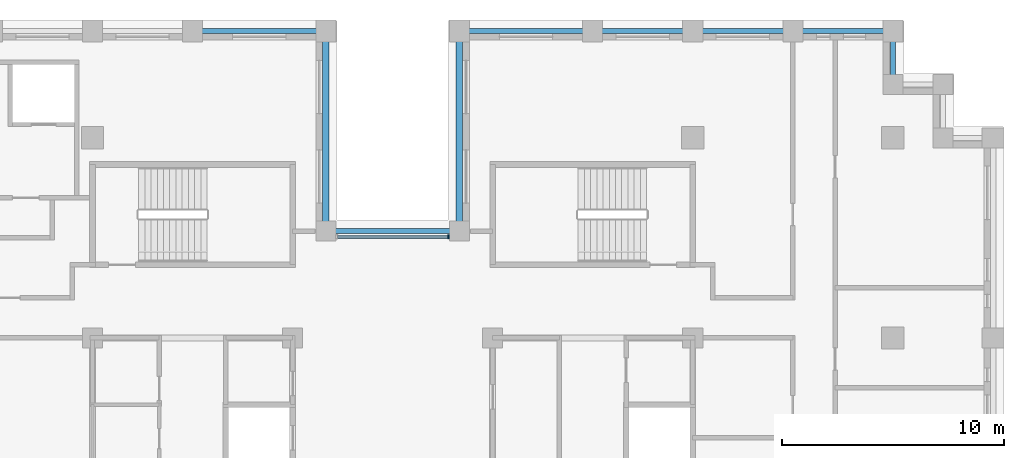
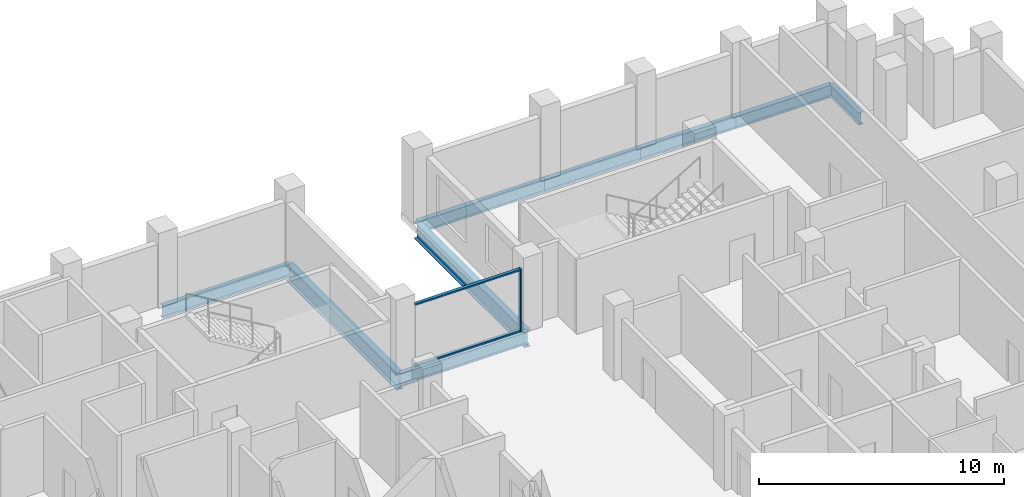
# One storey, part 4 of 15: 9 beams, 3 members, 1 element without a shape of its own.
"""IFC4 building model written with IfcOpenShell, lengths in metres."""

import ifcopenshell
import ifcopenshell.guid

model = None  # the IFC model being written
_history = None  # IfcOwnerHistory: only IFC2X3 demands one
_inside = {}  # id of a spatial element -> (the spatial element, [elements in it])
_under = {}  # id of a project, library or spatial element -> (it, [spatial elements below it])
_declared = {}  # id of a project -> (the project, [libraries it declares])
_typed = {}  # id of a type object -> (the type object, [elements of that type])
_made_of = {}  # id of a material, layer set ... -> (it, [elements and type objects made of it])


def new_model(schema):
    """Start an empty IFC model of exactly this schema.

    Asked for "IFC4X3", IfcOpenShell would pick the latest addendum, in which some entities
    have other attributes; the version numbers below select the first issue.
    IFC2X3 requires an IfcOwnerHistory on every rooted entity: one is made here for all.
    """
    global model, _history
    if schema == "IFC4X3":
        model = ifcopenshell.file(schema_version=(4, 3, 0, 0))
    else:
        model = ifcopenshell.file(schema=schema)
    _inside.clear()
    _under.clear()
    _declared.clear()
    _typed.clear()
    _made_of.clear()
    _history = None
    if model.schema == "IFC2X3":
        org = make("IfcOrganization", Name="unknown")
        user = make(
            "IfcPersonAndOrganization",
            ThePerson=make("IfcPerson", FamilyName="unknown"),
            TheOrganization=org,
        )
        app = make(
            "IfcApplication",
            ApplicationDeveloper=org,
            Version="unknown",
            ApplicationFullName="unknown",
            ApplicationIdentifier="unknown",
        )
        _history = make(
            "IfcOwnerHistory",
            OwningUser=user,
            OwningApplication=app,
            ChangeAction="ADDED",
            CreationDate=0,
        )
    return model


def make(cls, **values):
    """One entity of the class cls with the attributes given. An attribute that is None is left unset."""
    return model.create_entity(
        cls, **{name: value for name, value in values.items() if value is not None}
    )


def rooted(cls, **values):
    """An entity with a GlobalId (a new one), such as an element, a storey or a relation."""
    return make(cls, GlobalId=ifcopenshell.guid.new(), OwnerHistory=_history, **values)


def si_unit(unit_type, name, prefix=None):
    """IfcSIUnit, for example si_unit("LENGTHUNIT", "METRE", prefix="MILLI")."""
    return make("IfcSIUnit", UnitType=unit_type, Prefix=prefix, Name=name)


def assignment(units):
    """IfcUnitAssignment: the units of a project."""
    return None if units is None else make("IfcUnitAssignment", Units=units)


def point(xyz):
    """IfcCartesianPoint."""
    return None if xyz is None else make("IfcCartesianPoint", Coordinates=xyz)


def direction(xyz):
    """IfcDirection."""
    return None if xyz is None else make("IfcDirection", DirectionRatios=xyz)


def frame(location, z_axis=None, x_axis=None):
    """IfcAxis2Placement3D, a coordinate frame: its origin and axes. An axis left out is left unset."""
    return make(
        "IfcAxis2Placement3D",
        Location=point(location),
        Axis=direction(z_axis),
        RefDirection=direction(x_axis),
    )


def frame_2d(location, x_axis=None):
    """IfcAxis2Placement2D, a coordinate frame in the plane: its origin and x axis."""
    return make(
        "IfcAxis2Placement2D", Location=point(location), RefDirection=direction(x_axis)
    )


def origin():
    """The frame at (0, 0, 0) with its axes left unset."""
    return frame((0.0, 0.0, 0.0))


def origin_2d():
    """The frame at (0, 0) in the plane with its x axis left unset."""
    return frame_2d((0.0, 0.0))


def place(relative_to, where):
    """IfcLocalPlacement: puts the frame where relative to a parent placement (None: the world)."""
    return make(
        "IfcLocalPlacement", PlacementRelTo=relative_to, RelativePlacement=where
    )


def context(
    kind, dimensions, precision=None, world=None, true_north=None, identifier=None
):
    """IfcGeometricRepresentationContext, for example the 3D "Model" context."""
    return make(
        "IfcGeometricRepresentationContext",
        ContextIdentifier=identifier,
        ContextType=kind,
        CoordinateSpaceDimension=dimensions,
        Precision=precision,
        WorldCoordinateSystem=world,
        TrueNorth=true_north,
    )


def subcontext(parent, identifier, kind, view, scale=None):
    """IfcGeometricRepresentationSubContext, for example "Body" below "Model"."""
    return make(
        "IfcGeometricRepresentationSubContext",
        ContextIdentifier=identifier,
        ContextType=kind,
        ParentContext=parent,
        TargetScale=scale,
        TargetView=view,
    )


def project(units=None, contexts=None):
    """IfcProject with its units and contexts."""
    return rooted(
        "IfcProject",
        Name="project",
        RepresentationContexts=contexts,
        UnitsInContext=assignment(units),
    )


def spatial(cls, under=None, at=None, **own):
    """A site, building, storey or space (cls), placed at a placement, below another one or the project."""
    s = rooted(cls, ObjectPlacement=at, **own)
    if under is not None:
        _under.setdefault(under.id(), (under, []))[1].append(s)
    return s


def profile(cls, at=None, kind="AREA", **sizes):
    """A parametric profile (cls). Its sizes go by their IFC names, for example OverallWidth=200.0."""
    return make(cls, ProfileType=kind, Position=at, **sizes)


def rectangle(**sizes):
    """IfcRectangleProfileDef."""
    return profile("IfcRectangleProfileDef", **sizes)


def i_section(**sizes):
    """IfcIShapeProfileDef."""
    return profile("IfcIShapeProfileDef", **sizes)


def extrude(swept, where, along, depth):
    """IfcExtrudedAreaSolid: the profile swept, set in the frame where, extruded along a direction by depth."""
    return make(
        "IfcExtrudedAreaSolid",
        SweptArea=swept,
        Position=where,
        ExtrudedDirection=direction(along),
        Depth=depth,
    )


def shape(context_of_items, identifier, shape_type, items):
    """IfcShapeRepresentation: the items that make up one representation, for example the "Body"."""
    return make(
        "IfcShapeRepresentation",
        ContextOfItems=context_of_items,
        RepresentationIdentifier=identifier,
        RepresentationType=shape_type,
        Items=items,
    )


def material(Name=None, Category=None):
    """IfcMaterial."""
    return make("IfcMaterial", Name=Name, Category=Category)


def layer(
    of_material, thickness, ventilated=None, Name=None, Category=None, Priority=None
):
    """IfcMaterialLayer: one layer of a wall or slab, of a material (None: an air gap)."""
    return make(
        "IfcMaterialLayer",
        Material=of_material,
        LayerThickness=thickness,
        IsVentilated=ventilated,
        Name=Name,
        Category=Category,
        Priority=Priority,
    )


def layer_set(layers, Name=None):
    """IfcMaterialLayerSet."""
    return make("IfcMaterialLayerSet", MaterialLayers=layers, LayerSetName=Name)


def material_profile(
    of_material, cross_section, Name=None, Category=None, Priority=None
):
    """IfcMaterialProfile: a cross section and its material."""
    return make(
        "IfcMaterialProfile",
        Name=Name,
        Material=of_material,
        Profile=cross_section,
        Priority=Priority,
        Category=Category,
    )


def profile_set(profiles, Name=None, composite=None):
    """IfcMaterialProfileSet."""
    return make(
        "IfcMaterialProfileSet",
        Name=Name,
        MaterialProfiles=profiles,
        CompositeProfile=composite,
    )


def made_of(thing, what):
    """Note that an element or type object is made of a material, layer set ...; save() writes the relation."""
    if what is not None:
        _made_of.setdefault(what.id(), (what, []))[1].append(thing)
    return thing


def type_object(cls, material=None, **own):
    """A type object (cls), such as IfcWallType, which elements share."""
    return made_of(rooted(cls, **own), material)


def element(
    cls,
    number,
    at=None,
    inside=None,
    cuts=None,
    type_object=None,
    material=None,
    context=None,
    identifier="Body",
    shape_type=None,
    held_by="IfcProductDefinitionShape",
    body=None,
    shapes=None,
    **own,
):
    """One element of the class cls, such as IfcWall. Its Tag is "e" and its number.

    at: its placement. inside: the storey or other place that contains it. cuts: it is an
    opening in that element (IfcRelVoidsElement). A single representation is given by context,
    identifier, shape_type and body (its items); several are given by shapes. held_by: the class
    of the entity that holds the representations. save() writes the other relations.
    """
    e = rooted(cls, Tag="e%d" % number, ObjectPlacement=at, **own)
    if body is not None:
        shapes = [shape(context, identifier, shape_type, body)]
    if shapes is not None:
        e.Representation = make(held_by, Representations=shapes)
    if inside is not None:
        _inside.setdefault(inside.id(), (inside, []))[1].append(e)
    if cuts is not None:
        rooted(
            "IfcRelVoidsElement", RelatingBuildingElement=cuts, RelatedOpeningElement=e
        )
    if type_object is not None:
        _typed.setdefault(type_object.id(), (type_object, []))[1].append(e)
    return made_of(e, material)


def aggregate(whole, parts):
    """IfcRelAggregates: a whole, such as a stair, and the parts it consists of."""
    return rooted("IfcRelAggregates", RelatingObject=whole, RelatedObjects=parts)


def save(model, path):
    """Write the relations noted so far, then the file.

    IfcRelAggregates (storeys below a building ...), IfcRelContainedInSpatialStructure (elements
    in a storey), IfcRelDefinesByType, IfcRelAssociatesMaterial and IfcRelDeclares: one each for
    every whole, place, type object, material and project.
    """
    for whole, parts in _under.values():
        aggregate(whole, parts)
    for where, things in _inside.values():
        rooted(
            "IfcRelContainedInSpatialStructure",
            RelatedElements=things,
            RelatingStructure=where,
        )
    for kind, things in _typed.values():
        rooted("IfcRelDefinesByType", RelatedObjects=things, RelatingType=kind)
    for what, things in _made_of.values():
        rooted("IfcRelAssociatesMaterial", RelatedObjects=things, RelatingMaterial=what)
    for by, libraries in _declared.values():
        rooted("IfcRelDeclares", RelatingContext=by, RelatedDefinitions=libraries)
    model.write(path)


model = new_model("IFC4")

# Units and contexts
model_context = context("Model", 3, precision=1e-05, world=origin(), true_north=direction((0.0, 1.0)))
body_context = subcontext(model_context, "Body", "Model", "MODEL_VIEW")
ifc_project = project(units=[si_unit("LENGTHUNIT", "METRE"), si_unit("AREAUNIT", "SQUARE_METRE"), si_unit("VOLUMEUNIT", "CUBIC_METRE"), si_unit("PLANEANGLEUNIT", "RADIAN"), si_unit("MASSUNIT", "GRAM", prefix="KILO")], contexts=[model_context])

# Site, building, storey
site_placement = place(None, origin())
site = spatial("IfcSite", under=ifc_project, at=site_placement, CompositionType="ELEMENT")
building_placement = place(site_placement, origin())
building = spatial("IfcBuilding", under=site, at=building_placement, Name="Corbelhall Arena Tower", CompositionType="ELEMENT")
storey_placement = place(building_placement, frame((0.0, 0.0, 188.0)))
storey = spatial("IfcBuildingStorey", under=building, at=storey_placement, Name="L38", CompositionType="ELEMENT", Elevation=188.0)

# Curtain wall, members
ifc_material_1 = material(Name="Aluminium black anodised", Category="aluminium")
ifc_layer = layer(ifc_material_1, 0.199951171875)
ifc_layer_set = layer_set([ifc_layer], Name="EV-CW1 Slot back wall")
curtain_wall_type = type_object("IfcCurtainWallType", Name="EV-CW1 Slot back wall", PredefinedType="NOTDEFINED", material=ifc_layer_set)
curtain_wall_placement = place(storey_placement, origin())
curtain_wall = element("IfcCurtainWall", 1, at=curtain_wall_placement, inside=storey, type_object=curtain_wall_type, Name="Curtain wall CW1", PredefinedType="NOTDEFINED")
ifc_material_profile_1 = material_profile(ifc_material_1, rectangle(XDim=0.199951171875, YDim=0.074951171875, at=origin_2d()))
ifc_profile_set_1 = profile_set([ifc_material_profile_1], Name="Aluminium black anodised")
member_type_1 = type_object("IfcMemberType", Name="EV-CW1-MULLION", PredefinedType="MULLION", material=ifc_profile_set_1)
member_1_placement = place(storey_placement, frame((2.512451171875, 13.550048828125, 0.0), z_axis=(0.0, 0.0, 1.0), x_axis=(0.0, -1.0, 0.0)))
member_1 = element("IfcMember", 2, at=member_1_placement, type_object=member_type_1, Name="CW1 mullion 1", PredefinedType="MULLION", context=body_context, shape_type="SweptSolid", body=[
    extrude(rectangle(XDim=0.199951171875, YDim=0.074951171875, at=origin_2d()), origin(), (0.0, 0.0, 1.0), 3.1201171875),
])
ifc_material_profile_2 = material_profile(ifc_material_1, rectangle(XDim=0.14990234375, YDim=0.074951171875, at=origin_2d()))
ifc_profile_set_2 = profile_set([ifc_material_profile_2], Name="Aluminium black anodised")
member_type_2 = type_object("IfcMemberType", Name="EV-CW1-TRANSOM", PredefinedType="USERDEFINED", material=ifc_profile_set_2)
member_2_placement = place(storey_placement, frame((2.47509765625, 13.550048828125, 0.03759765625), z_axis=(-1.0, 0.0, 0.0), x_axis=(0.0, -1.0, 0.0)))
member_2 = element("IfcMember", 3, at=member_2_placement, type_object=member_type_2, Name="CW1 transom 1.1", ObjectType="transom", PredefinedType="USERDEFINED", context=body_context, shape_type="SweptSolid", body=[
    extrude(rectangle(XDim=0.14990234375, YDim=0.074951171875, at=origin_2d()), origin(), (0.0, 0.0, 1.0), 4.9501953125),
])
member_3_placement = place(storey_placement, frame((2.47509765625, 13.550048828125, 3.08251953125), z_axis=(-1.0, 0.0, 0.0), x_axis=(0.0, -1.0, 0.0)))
member_3 = element("IfcMember", 4, at=member_3_placement, type_object=member_type_2, Name="CW1 transom 1.2", ObjectType="transom", PredefinedType="USERDEFINED", context=body_context, shape_type="SweptSolid", body=[
    extrude(rectangle(XDim=0.14990234375, YDim=0.074951171875, at=origin_2d()), origin(), (0.0, 0.0, 1.0), 4.9501953125),
])
aggregate(curtain_wall, [member_1, member_2, member_3])

# Beams
ifc_material_2 = material(Name="Steel ASTM A992 Gr50", Category="steel")
ifc_material_profile_3 = material_profile(ifc_material_2, i_section(OverallWidth=0.228271484375, OverallDepth=0.607177734375, WebThickness=0.01123046875, FlangeThickness=0.017333984375, at=origin_2d()))
ifc_profile_set_3 = profile_set([ifc_material_profile_3], Name="Steel ASTM A992 Gr50")
beam_type_1 = type_object("IfcBeamType", Name="ST-SPANDREL-W24x76", PredefinedType="SPANDREL", material=ifc_profile_set_3)
beam_1_placement = place(storey_placement, frame((3.0, 22.800048828125, -0.58349609375), z_axis=(1.0, 0.0, 0.0), x_axis=(0.0, 1.0, 0.0)))
element("IfcBeam", 5, at=beam_1_placement, inside=storey, type_object=beam_type_1, Name="Beam SP 13", PredefinedType="SPANDREL", context=body_context, shape_type="SweptSolid", body=[
    extrude(i_section(OverallWidth=0.228271484375, OverallDepth=0.607177734375, WebThickness=0.01123046875, FlangeThickness=0.017333984375, at=origin_2d()), origin(), (0.0, 0.0, 1.0), 6.0),
])
for number, where, z_axis, x_axis, name in (
    (6, (9.0, 22.800048828125, -0.58349609375), (1.0, 0.0, 0.0), (0.0, 1.0, 0.0), "Beam SP 14"),
    (7, (13.5, 22.800048828125, -0.58349609375), (1.0, 0.0, 0.0), (0.0, 1.0, 0.0), "Beam SP 15"),
    (8, (18.0, 22.800048828125, -0.58349609375), (1.0, 0.0, 0.0), (0.0, 1.0, 0.0), "Beam SP 16"),
):
    element("IfcBeam", number, at=place(storey_placement, frame(where, z_axis=z_axis, x_axis=x_axis)), inside=storey, type_object=beam_type_1, Name=name, PredefinedType="SPANDREL", context=body_context, shape_type="SweptSolid", body=[
        extrude(i_section(OverallWidth=0.228271484375, OverallDepth=0.607177734375, WebThickness=0.01123046875, FlangeThickness=0.017333984375, at=origin_2d()), origin(), (0.0, 0.0, 1.0), 4.5),
    ])
beam_2_placement = place(storey_placement, frame((22.5, 22.800048828125, -0.58349609375), z_axis=(0.0, -1.0, 0.0), x_axis=(1.0, 0.0, 0.0)))
element("IfcBeam", 9, at=beam_2_placement, inside=storey, type_object=beam_type_1, Name="Beam SP 17", PredefinedType="SPANDREL", context=body_context, shape_type="SweptSolid", body=[
    extrude(i_section(OverallWidth=0.228271484375, OverallDepth=0.607177734375, WebThickness=0.01123046875, FlangeThickness=0.017333984375, at=origin_2d()), origin(), (0.0, 0.0, 1.0), 2.400146484375),
])
for number, where, z_axis, x_axis, name in (
    (10, (-9.0, 22.800048828125, -0.58349609375), (1.0, 0.0, 0.0), (0.0, 1.0, 0.0), "Beam SP 19"),
    (11, (-3.0, 13.800048828125, -0.58349609375), (1.0, 0.0, 0.0), (0.0, 1.0, 0.0), "Beam SP 36"),
):
    element("IfcBeam", number, at=place(storey_placement, frame(where, z_axis=z_axis, x_axis=x_axis)), inside=storey, type_object=beam_type_1, Name=name, PredefinedType="SPANDREL", context=body_context, shape_type="SweptSolid", body=[
        extrude(i_section(OverallWidth=0.228271484375, OverallDepth=0.607177734375, WebThickness=0.01123046875, FlangeThickness=0.017333984375, at=origin_2d()), origin(), (0.0, 0.0, 1.0), 6.0),
    ])
ifc_material_profile_4 = material_profile(ifc_material_2, i_section(OverallWidth=0.2919921875, OverallDepth=0.845703125, WebThickness=0.015380859375, FlangeThickness=0.0244140625, at=origin_2d()))
ifc_profile_set_4 = profile_set([ifc_material_profile_4], Name="Steel ASTM A992 Gr50")
beam_type_2 = type_object("IfcBeamType", Name="ST-SPANDREL-W33x141", PredefinedType="SPANDREL", material=ifc_profile_set_4)
for number, where, z_axis, x_axis, name in (
    (12, (-3.0, 22.800048828125, -0.702880859375), (0.0, -1.0, 0.0), (1.0, 0.0, 0.0), "Beam SP 18"),
    (13, (3.0, 13.800048828125, -0.702880859375), (0.0, 1.0, 0.0), (-1.0, 0.0, 0.0), "Beam SP 35"),
):
    element("IfcBeam", number, at=place(storey_placement, frame(where, z_axis=z_axis, x_axis=x_axis)), inside=storey, type_object=beam_type_2, Name=name, PredefinedType="SPANDREL", context=body_context, shape_type="SweptSolid", body=[
        extrude(i_section(OverallWidth=0.2919921875, OverallDepth=0.845703125, WebThickness=0.015380859375, FlangeThickness=0.0244140625, at=origin_2d()), origin(), (0.0, 0.0, 1.0), 9.0),
    ])

save(model, "model.ifc")
